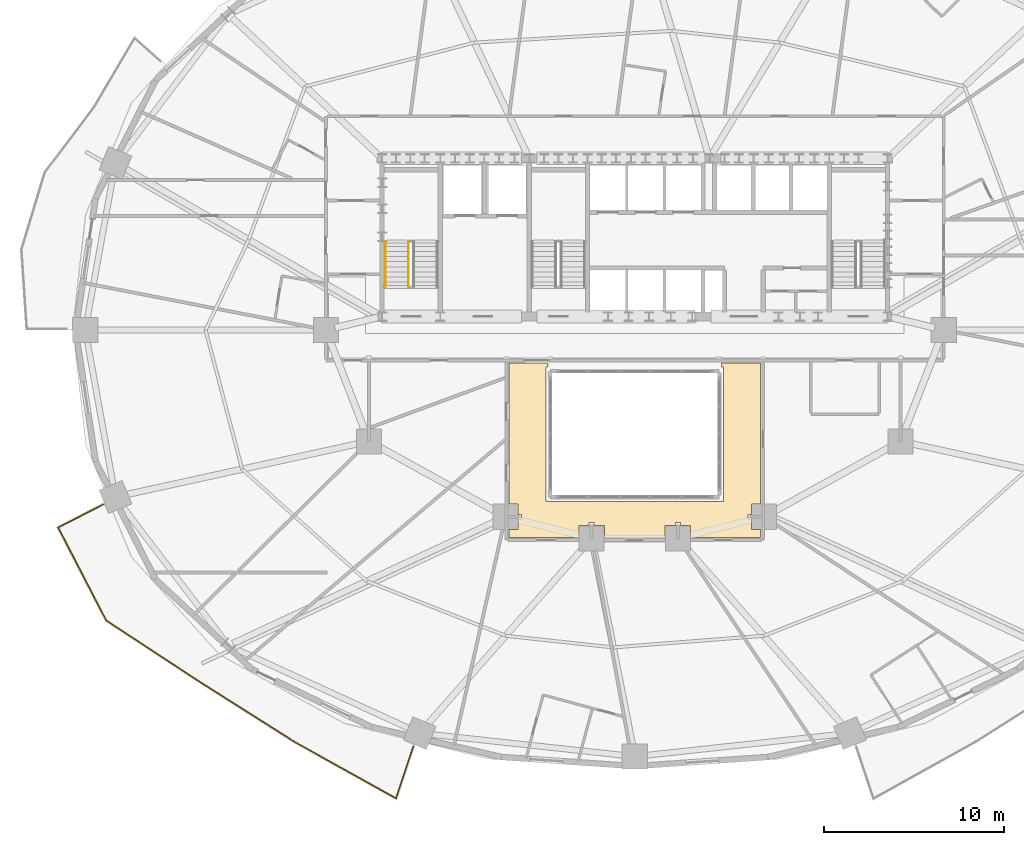
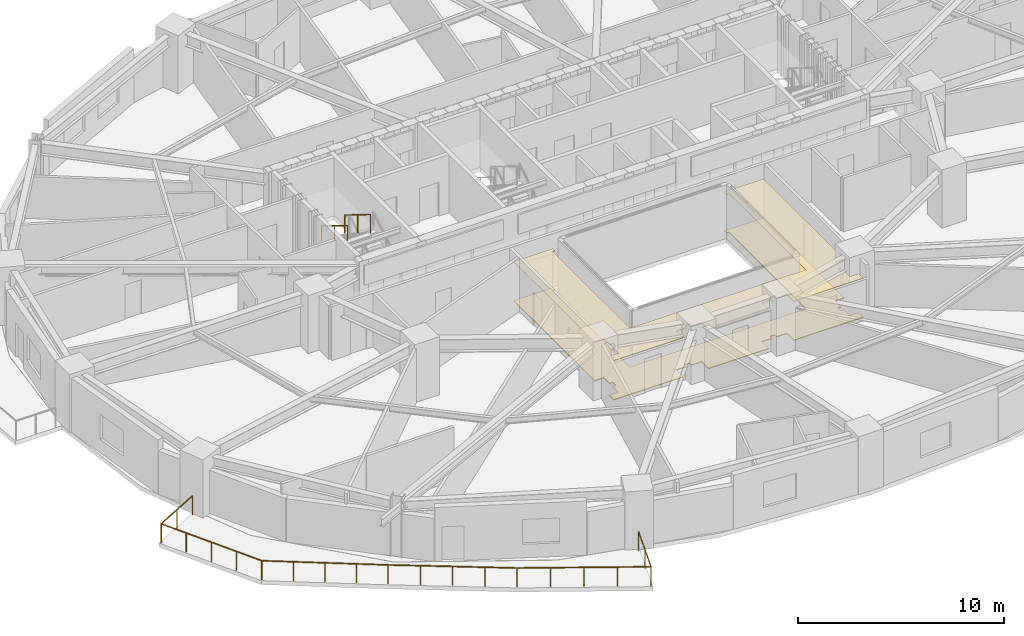
# One storey, part 14 of 17: 3 railings, 2 coverings.
"""IFC4 building model written with IfcOpenShell, lengths in metres."""

import ifcopenshell
import ifcopenshell.guid

model = None  # the IFC model being written
_history = None  # IfcOwnerHistory: only IFC2X3 demands one
_inside = {}  # id of a spatial element -> (the spatial element, [elements in it])
_under = {}  # id of a project, library or spatial element -> (it, [spatial elements below it])
_declared = {}  # id of a project -> (the project, [libraries it declares])
_typed = {}  # id of a type object -> (the type object, [elements of that type])
_made_of = {}  # id of a material, layer set ... -> (it, [elements and type objects made of it])


def new_model(schema):
    """Start an empty IFC model of exactly this schema.

    Asked for "IFC4X3", IfcOpenShell would pick the latest addendum, in which some entities
    have other attributes; the version numbers below select the first issue.
    IFC2X3 requires an IfcOwnerHistory on every rooted entity: one is made here for all.
    """
    global model, _history
    if schema == "IFC4X3":
        model = ifcopenshell.file(schema_version=(4, 3, 0, 0))
    else:
        model = ifcopenshell.file(schema=schema)
    _inside.clear()
    _under.clear()
    _declared.clear()
    _typed.clear()
    _made_of.clear()
    _history = None
    if model.schema == "IFC2X3":
        org = make("IfcOrganization", Name="unknown")
        user = make(
            "IfcPersonAndOrganization",
            ThePerson=make("IfcPerson", FamilyName="unknown"),
            TheOrganization=org,
        )
        app = make(
            "IfcApplication",
            ApplicationDeveloper=org,
            Version="unknown",
            ApplicationFullName="unknown",
            ApplicationIdentifier="unknown",
        )
        _history = make(
            "IfcOwnerHistory",
            OwningUser=user,
            OwningApplication=app,
            ChangeAction="ADDED",
            CreationDate=0,
        )
    return model


def make(cls, **values):
    """One entity of the class cls with the attributes given. An attribute that is None is left unset."""
    return model.create_entity(
        cls, **{name: value for name, value in values.items() if value is not None}
    )


def rooted(cls, **values):
    """An entity with a GlobalId (a new one), such as an element, a storey or a relation."""
    return make(cls, GlobalId=ifcopenshell.guid.new(), OwnerHistory=_history, **values)


def si_unit(unit_type, name, prefix=None):
    """IfcSIUnit, for example si_unit("LENGTHUNIT", "METRE", prefix="MILLI")."""
    return make("IfcSIUnit", UnitType=unit_type, Prefix=prefix, Name=name)


def assignment(units):
    """IfcUnitAssignment: the units of a project."""
    return None if units is None else make("IfcUnitAssignment", Units=units)


def point(xyz):
    """IfcCartesianPoint."""
    return None if xyz is None else make("IfcCartesianPoint", Coordinates=xyz)


def direction(xyz):
    """IfcDirection."""
    return None if xyz is None else make("IfcDirection", DirectionRatios=xyz)


def frame(location, z_axis=None, x_axis=None):
    """IfcAxis2Placement3D, a coordinate frame: its origin and axes. An axis left out is left unset."""
    return make(
        "IfcAxis2Placement3D",
        Location=point(location),
        Axis=direction(z_axis),
        RefDirection=direction(x_axis),
    )


def frame_2d(location, x_axis=None):
    """IfcAxis2Placement2D, a coordinate frame in the plane: its origin and x axis."""
    return make(
        "IfcAxis2Placement2D", Location=point(location), RefDirection=direction(x_axis)
    )


def origin():
    """The frame at (0, 0, 0) with its axes left unset."""
    return frame((0.0, 0.0, 0.0))


def origin_2d():
    """The frame at (0, 0) in the plane with its x axis left unset."""
    return frame_2d((0.0, 0.0))


def place(relative_to, where):
    """IfcLocalPlacement: puts the frame where relative to a parent placement (None: the world)."""
    return make(
        "IfcLocalPlacement", PlacementRelTo=relative_to, RelativePlacement=where
    )


def context(
    kind, dimensions, precision=None, world=None, true_north=None, identifier=None
):
    """IfcGeometricRepresentationContext, for example the 3D "Model" context."""
    return make(
        "IfcGeometricRepresentationContext",
        ContextIdentifier=identifier,
        ContextType=kind,
        CoordinateSpaceDimension=dimensions,
        Precision=precision,
        WorldCoordinateSystem=world,
        TrueNorth=true_north,
    )


def subcontext(parent, identifier, kind, view, scale=None):
    """IfcGeometricRepresentationSubContext, for example "Body" below "Model"."""
    return make(
        "IfcGeometricRepresentationSubContext",
        ContextIdentifier=identifier,
        ContextType=kind,
        ParentContext=parent,
        TargetScale=scale,
        TargetView=view,
    )


def project(units=None, contexts=None):
    """IfcProject with its units and contexts."""
    return rooted(
        "IfcProject",
        Name="project",
        RepresentationContexts=contexts,
        UnitsInContext=assignment(units),
    )


def spatial(cls, under=None, at=None, **own):
    """A site, building, storey or space (cls), placed at a placement, below another one or the project."""
    s = rooted(cls, ObjectPlacement=at, **own)
    if under is not None:
        _under.setdefault(under.id(), (under, []))[1].append(s)
    return s


def polyline(points):
    """IfcPolyline through the points."""
    return make("IfcPolyline", Points=[point(p) for p in points])


def profile(cls, at=None, kind="AREA", **sizes):
    """A parametric profile (cls). Its sizes go by their IFC names, for example OverallWidth=200.0."""
    return make(cls, ProfileType=kind, Position=at, **sizes)


def rectangle(**sizes):
    """IfcRectangleProfileDef."""
    return profile("IfcRectangleProfileDef", **sizes)


def outline(outer, holes=None, kind="AREA"):
    """IfcArbitraryClosedProfileDef: a profile drawn as a closed curve; with holes, ...WithVoids."""
    if holes is None:
        return make("IfcArbitraryClosedProfileDef", ProfileType=kind, OuterCurve=outer)
    return make(
        "IfcArbitraryProfileDefWithVoids",
        ProfileType=kind,
        OuterCurve=outer,
        InnerCurves=holes,
    )


def extrude(swept, where, along, depth):
    """IfcExtrudedAreaSolid: the profile swept, set in the frame where, extruded along a direction by depth."""
    return make(
        "IfcExtrudedAreaSolid",
        SweptArea=swept,
        Position=where,
        ExtrudedDirection=direction(along),
        Depth=depth,
    )


def shape(context_of_items, identifier, shape_type, items):
    """IfcShapeRepresentation: the items that make up one representation, for example the "Body"."""
    return make(
        "IfcShapeRepresentation",
        ContextOfItems=context_of_items,
        RepresentationIdentifier=identifier,
        RepresentationType=shape_type,
        Items=items,
    )


def material(Name=None, Category=None):
    """IfcMaterial."""
    return make("IfcMaterial", Name=Name, Category=Category)


def layer(
    of_material, thickness, ventilated=None, Name=None, Category=None, Priority=None
):
    """IfcMaterialLayer: one layer of a wall or slab, of a material (None: an air gap)."""
    return make(
        "IfcMaterialLayer",
        Material=of_material,
        LayerThickness=thickness,
        IsVentilated=ventilated,
        Name=Name,
        Category=Category,
        Priority=Priority,
    )


def layer_set(layers, Name=None):
    """IfcMaterialLayerSet."""
    return make("IfcMaterialLayerSet", MaterialLayers=layers, LayerSetName=Name)


def made_of(thing, what):
    """Note that an element or type object is made of a material, layer set ...; save() writes the relation."""
    if what is not None:
        _made_of.setdefault(what.id(), (what, []))[1].append(thing)
    return thing


def type_object(cls, material=None, **own):
    """A type object (cls), such as IfcWallType, which elements share."""
    return made_of(rooted(cls, **own), material)


def element(
    cls,
    number,
    at=None,
    inside=None,
    cuts=None,
    type_object=None,
    material=None,
    context=None,
    identifier="Body",
    shape_type=None,
    held_by="IfcProductDefinitionShape",
    body=None,
    shapes=None,
    **own,
):
    """One element of the class cls, such as IfcWall. Its Tag is "e" and its number.

    at: its placement. inside: the storey or other place that contains it. cuts: it is an
    opening in that element (IfcRelVoidsElement). A single representation is given by context,
    identifier, shape_type and body (its items); several are given by shapes. held_by: the class
    of the entity that holds the representations. save() writes the other relations.
    """
    e = rooted(cls, Tag="e%d" % number, ObjectPlacement=at, **own)
    if body is not None:
        shapes = [shape(context, identifier, shape_type, body)]
    if shapes is not None:
        e.Representation = make(held_by, Representations=shapes)
    if inside is not None:
        _inside.setdefault(inside.id(), (inside, []))[1].append(e)
    if cuts is not None:
        rooted(
            "IfcRelVoidsElement", RelatingBuildingElement=cuts, RelatedOpeningElement=e
        )
    if type_object is not None:
        _typed.setdefault(type_object.id(), (type_object, []))[1].append(e)
    return made_of(e, material)


def aggregate(whole, parts):
    """IfcRelAggregates: a whole, such as a stair, and the parts it consists of."""
    return rooted("IfcRelAggregates", RelatingObject=whole, RelatedObjects=parts)


def save(model, path):
    """Write the relations noted so far, then the file.

    IfcRelAggregates (storeys below a building ...), IfcRelContainedInSpatialStructure (elements
    in a storey), IfcRelDefinesByType, IfcRelAssociatesMaterial and IfcRelDeclares: one each for
    every whole, place, type object, material and project.
    """
    for whole, parts in _under.values():
        aggregate(whole, parts)
    for where, things in _inside.values():
        rooted(
            "IfcRelContainedInSpatialStructure",
            RelatedElements=things,
            RelatingStructure=where,
        )
    for kind, things in _typed.values():
        rooted("IfcRelDefinesByType", RelatedObjects=things, RelatingType=kind)
    for what, things in _made_of.values():
        rooted("IfcRelAssociatesMaterial", RelatedObjects=things, RelatingMaterial=what)
    for by, libraries in _declared.values():
        rooted("IfcRelDeclares", RelatingContext=by, RelatedDefinitions=libraries)
    model.write(path)


model = new_model("IFC4")

# Units and contexts
model_context = context("Model", 3, precision=1e-05, world=origin(), true_north=direction((0.0, 1.0)))
body_context = subcontext(model_context, "Body", "Model", "MODEL_VIEW")
ifc_project = project(units=[si_unit("LENGTHUNIT", "METRE"), si_unit("AREAUNIT", "SQUARE_METRE"), si_unit("VOLUMEUNIT", "CUBIC_METRE"), si_unit("PLANEANGLEUNIT", "RADIAN"), si_unit("MASSUNIT", "GRAM", prefix="KILO")], contexts=[model_context])

# Site, building, storey
site_placement = place(None, origin())
site = spatial("IfcSite", under=ifc_project, at=site_placement, CompositionType="ELEMENT")
building_placement = place(site_placement, origin())
building = spatial("IfcBuilding", under=site, at=building_placement, Name="Haldorwick Loom Tower", CompositionType="ELEMENT")
storey_placement = place(building_placement, frame((0.0, 0.0, 58.5)))
storey = spatial("IfcBuildingStorey", under=building, at=storey_placement, Name="L15", CompositionType="ELEMENT", Elevation=58.5)

# Coverings
ifc_material_1 = material(Name="Mineral Fibre Acoustic Ceiling Tile")
ifc_layer_1 = layer(ifc_material_1, 0.054931640625, Name="Mineral Fibre Acoustic Ceiling Tile")
ifc_layer_set_1 = layer_set([ifc_layer_1], Name="Mineral Fibre Acoustic Ceiling Tile")
covering_type_1 = type_object("IfcCoveringType", Name="ARC-COV-CEIL2", PredefinedType="CEILING", material=ifc_layer_set_1)
covering_1_placement = place(storey_placement, frame((0.0, 0.0, 2.302001953125)))
element("IfcCovering", 1, at=covering_1_placement, inside=storey, type_object=covering_type_1, Name="L15 Acoustic Suspended Ceiling 1", PredefinedType="CEILING", context=body_context, shape_type="SweptSolid", body=[
    extrude(outline(polyline([(37.69189453125, 14.43994140625), (37.69189453125, 15.10791015625), (38.260009765625, 15.10791015625), (38.260009765625, 15.27001953125), (38.260009765625, 15.27197265625), (38.260498046875, 15.27392578125), (38.260986328125, 15.27587890625), (38.261474609375, 15.277587890625), (38.262451171875, 15.279296875), (38.263427734375, 15.281005859375), (38.264404296875, 15.28271484375), (38.265869140625, 15.2841796875), (38.267333984375, 15.285400390625), (38.268798828125, 15.28662109375), (38.2705078125, 15.28759765625), (38.272216796875, 15.28857421875), (38.274169921875, 15.2890625), (38.276123046875, 15.28955078125), (38.278076171875, 15.289794921875), (38.280029296875, 15.2900390625), (38.52001953125, 15.2900390625), (38.52197265625, 15.289794921875), (38.52392578125, 15.28955078125), (38.52587890625, 15.289306640625), (38.527587890625, 15.28857421875), (38.529296875, 15.28759765625), (38.531005859375, 15.28662109375), (38.53271484375, 15.285400390625), (38.5341796875, 15.2841796875), (38.535400390625, 15.28271484375), (38.53662109375, 15.28125), (38.53759765625, 15.279541015625), (38.538330078125, 15.27783203125), (38.5390625, 15.27587890625), (38.53955078125, 15.274169921875), (38.539794921875, 15.272216796875), (38.5400390625, 15.270263671875), (38.5419921875, 15.10791015625), (39.10791015625, 15.10791015625), (39.10791015625, 14.43994140625), (43.010009765625, 14.43994140625), (43.010009765625, 14.89208984375), (42.491943359375, 14.89208984375), (42.491943359375, 15.4599609375), (42.330078125, 15.4599609375), (42.327880859375, 15.460205078125), (42.326171875, 15.46044921875), (42.32421875, 15.4609375), (42.322265625, 15.46142578125), (42.320556640625, 15.46240234375), (42.31884765625, 15.46337890625), (42.3173828125, 15.464599609375), (42.31591796875, 15.4658203125), (42.314453125, 15.46728515625), (42.3134765625, 15.468994140625), (42.3125, 15.470703125), (42.3115234375, 15.472412109375), (42.310791015625, 15.47412109375), (42.310302734375, 15.47607421875), (42.31005859375, 15.47802734375), (42.31005859375, 15.47998046875), (42.31005859375, 15.719970703125), (42.31005859375, 15.721923828125), (42.310302734375, 15.723876953125), (42.310791015625, 15.725830078125), (42.3115234375, 15.727783203125), (42.3125, 15.7294921875), (42.3134765625, 15.731201171875), (42.314453125, 15.732666015625), (42.31591796875, 15.734130859375), (42.3173828125, 15.735595703125), (42.31884765625, 15.736572265625), (42.320556640625, 15.737548828125), (42.322265625, 15.738525390625), (42.32421875, 15.739013671875), (42.326171875, 15.739501953125), (42.327880859375, 15.739990234375), (42.330078125, 15.739990234375), (42.491943359375, 15.739990234375), (42.491943359375, 16.30810546875), (43.010009765625, 16.30810546875), (43.010009765625, 24.159912109375), (40.820068359375, 24.159912109375), (40.820068359375, 23.949951171875), (40.949951171875, 23.949951171875), (40.949951171875, 16.449951171875), (31.050048828125, 16.449951171875), (31.050048828125, 23.949951171875), (31.179931640625, 23.949951171875), (31.179931640625, 24.159912109375), (28.989990234375, 24.159912109375), (28.989990234375, 16.30810546875), (29.508056640625, 16.30810546875), (29.508056640625, 15.739990234375), (29.669921875, 15.739990234375), (29.672119140625, 15.739990234375), (29.673828125, 15.739501953125), (29.67578125, 15.739013671875), (29.677734375, 15.738525390625), (29.679443359375, 15.737548828125), (29.68115234375, 15.736572265625), (29.6826171875, 15.735595703125), (29.68408203125, 15.734130859375), (29.685546875, 15.732666015625), (29.6865234375, 15.731201171875), (29.6875, 15.7294921875), (29.6884765625, 15.727783203125), (29.689208984375, 15.725830078125), (29.689697265625, 15.723876953125), (29.68994140625, 15.721923828125), (29.68994140625, 15.719970703125), (29.68994140625, 15.47998046875), (29.68994140625, 15.47802734375), (29.689697265625, 15.47607421875), (29.689208984375, 15.47412109375), (29.6884765625, 15.472412109375), (29.6875, 15.470703125), (29.6865234375, 15.468994140625), (29.685546875, 15.46728515625), (29.68408203125, 15.4658203125), (29.6826171875, 15.464599609375), (29.68115234375, 15.46337890625), (29.679443359375, 15.46240234375), (29.677734375, 15.46142578125), (29.67578125, 15.4609375), (29.673828125, 15.46044921875), (29.672119140625, 15.460205078125), (29.669921875, 15.4599609375), (29.508056640625, 15.4599609375), (29.508056640625, 14.89208984375), (28.989990234375, 14.89208984375), (28.989990234375, 14.43994140625), (32.89208984375, 14.43994140625), (32.89208984375, 15.10791015625), (33.458984375, 15.10791015625), (33.4599609375, 15.27001953125), (33.460205078125, 15.272216796875), (33.46044921875, 15.27392578125), (33.4609375, 15.27587890625), (33.461669921875, 15.277587890625), (33.46240234375, 15.279541015625), (33.46337890625, 15.28125), (33.464599609375, 15.28271484375), (33.4658203125, 15.2841796875), (33.46728515625, 15.285400390625), (33.468994140625, 15.28662109375), (33.470703125, 15.28759765625), (33.472412109375, 15.28857421875), (33.47412109375, 15.2890625), (33.47607421875, 15.28955078125), (33.47802734375, 15.289794921875), (33.47998046875, 15.2900390625), (33.719970703125, 15.2900390625), (33.721923828125, 15.289794921875), (33.723876953125, 15.28955078125), (33.725830078125, 15.2890625), (33.727783203125, 15.28857421875), (33.7294921875, 15.28759765625), (33.731201171875, 15.28662109375), (33.732666015625, 15.285400390625), (33.734130859375, 15.2841796875), (33.735595703125, 15.28271484375), (33.736572265625, 15.281005859375), (33.737548828125, 15.279296875), (33.738525390625, 15.277587890625), (33.739013671875, 15.27587890625), (33.739501953125, 15.27392578125), (33.739990234375, 15.27197265625), (33.739990234375, 15.27001953125), (33.739990234375, 15.10791015625), (34.30810546875, 15.10791015625), (34.30810546875, 14.43994140625), (37.69189453125, 14.43994140625)])), origin(), (0.0, 0.0, 1.0), 0.054931640625),
])
ifc_material_2 = material(Name="Polished Aggregate Terrazzo Finish")
ifc_layer_2 = layer(ifc_material_2, 0.044921875, Name="Polished Aggregate Terrazzo Finish")
ifc_layer_set_2 = layer_set([ifc_layer_2], Name="Polished Aggregate Terrazzo Finish")
covering_type_2 = type_object("IfcCoveringType", Name="ARC-COV-FLOOR2", PredefinedType="FLOORING", material=ifc_layer_set_2)
covering_2_placement = place(storey_placement, origin())
element("IfcCovering", 2, at=covering_2_placement, inside=storey, type_object=covering_type_2, Name="L15 Floor Finish 1", PredefinedType="FLOORING", context=body_context, shape_type="SweptSolid", body=[
    extrude(outline(polyline([(37.69189453125, 14.43994140625), (37.69189453125, 15.10791015625), (38.260009765625, 15.10791015625), (38.260009765625, 15.27001953125), (38.260009765625, 15.27197265625), (38.260498046875, 15.27392578125), (38.260986328125, 15.27587890625), (38.261474609375, 15.277587890625), (38.262451171875, 15.279296875), (38.263427734375, 15.281005859375), (38.264404296875, 15.28271484375), (38.265869140625, 15.2841796875), (38.267333984375, 15.285400390625), (38.268798828125, 15.28662109375), (38.2705078125, 15.28759765625), (38.272216796875, 15.28857421875), (38.274169921875, 15.2890625), (38.276123046875, 15.28955078125), (38.278076171875, 15.289794921875), (38.280029296875, 15.2900390625), (38.52001953125, 15.2900390625), (38.52197265625, 15.289794921875), (38.52392578125, 15.28955078125), (38.52587890625, 15.289306640625), (38.527587890625, 15.28857421875), (38.529296875, 15.28759765625), (38.531005859375, 15.28662109375), (38.53271484375, 15.285400390625), (38.5341796875, 15.2841796875), (38.535400390625, 15.28271484375), (38.53662109375, 15.28125), (38.53759765625, 15.279541015625), (38.538330078125, 15.27783203125), (38.5390625, 15.27587890625), (38.53955078125, 15.274169921875), (38.539794921875, 15.272216796875), (38.5400390625, 15.270263671875), (38.5419921875, 15.10791015625), (39.10791015625, 15.10791015625), (39.10791015625, 14.43994140625), (43.010009765625, 14.43994140625), (43.010009765625, 14.89208984375), (42.491943359375, 14.89208984375), (42.491943359375, 15.4599609375), (42.330078125, 15.4599609375), (42.327880859375, 15.460205078125), (42.326171875, 15.46044921875), (42.32421875, 15.4609375), (42.322265625, 15.46142578125), (42.320556640625, 15.46240234375), (42.31884765625, 15.46337890625), (42.3173828125, 15.464599609375), (42.31591796875, 15.4658203125), (42.314453125, 15.46728515625), (42.3134765625, 15.468994140625), (42.3125, 15.470703125), (42.3115234375, 15.472412109375), (42.310791015625, 15.47412109375), (42.310302734375, 15.47607421875), (42.31005859375, 15.47802734375), (42.31005859375, 15.47998046875), (42.31005859375, 15.719970703125), (42.31005859375, 15.721923828125), (42.310302734375, 15.723876953125), (42.310791015625, 15.725830078125), (42.3115234375, 15.727783203125), (42.3125, 15.7294921875), (42.3134765625, 15.731201171875), (42.314453125, 15.732666015625), (42.31591796875, 15.734130859375), (42.3173828125, 15.735595703125), (42.31884765625, 15.736572265625), (42.320556640625, 15.737548828125), (42.322265625, 15.738525390625), (42.32421875, 15.739013671875), (42.326171875, 15.739501953125), (42.327880859375, 15.739990234375), (42.330078125, 15.739990234375), (42.491943359375, 15.739990234375), (42.491943359375, 16.30810546875), (43.010009765625, 16.30810546875), (43.010009765625, 24.159912109375), (40.820068359375, 24.159912109375), (40.820068359375, 23.949951171875), (40.949951171875, 23.949951171875), (40.949951171875, 16.449951171875), (31.050048828125, 16.449951171875), (31.050048828125, 23.949951171875), (31.179931640625, 23.949951171875), (31.179931640625, 24.159912109375), (28.989990234375, 24.159912109375), (28.989990234375, 16.30810546875), (29.508056640625, 16.30810546875), (29.508056640625, 15.739990234375), (29.669921875, 15.739990234375), (29.672119140625, 15.739990234375), (29.673828125, 15.739501953125), (29.67578125, 15.739013671875), (29.677734375, 15.738525390625), (29.679443359375, 15.737548828125), (29.68115234375, 15.736572265625), (29.6826171875, 15.735595703125), (29.68408203125, 15.734130859375), (29.685546875, 15.732666015625), (29.6865234375, 15.731201171875), (29.6875, 15.7294921875), (29.6884765625, 15.727783203125), (29.689208984375, 15.725830078125), (29.689697265625, 15.723876953125), (29.68994140625, 15.721923828125), (29.68994140625, 15.719970703125), (29.68994140625, 15.47998046875), (29.68994140625, 15.47802734375), (29.689697265625, 15.47607421875), (29.689208984375, 15.47412109375), (29.6884765625, 15.472412109375), (29.6875, 15.470703125), (29.6865234375, 15.468994140625), (29.685546875, 15.46728515625), (29.68408203125, 15.4658203125), (29.6826171875, 15.464599609375), (29.68115234375, 15.46337890625), (29.679443359375, 15.46240234375), (29.677734375, 15.46142578125), (29.67578125, 15.4609375), (29.673828125, 15.46044921875), (29.672119140625, 15.460205078125), (29.669921875, 15.4599609375), (29.508056640625, 15.4599609375), (29.508056640625, 14.89208984375), (28.989990234375, 14.89208984375), (28.989990234375, 14.43994140625), (32.89208984375, 14.43994140625), (32.89208984375, 15.10791015625), (33.458984375, 15.10791015625), (33.4599609375, 15.27001953125), (33.460205078125, 15.272216796875), (33.46044921875, 15.27392578125), (33.4609375, 15.27587890625), (33.461669921875, 15.277587890625), (33.46240234375, 15.279541015625), (33.46337890625, 15.28125), (33.464599609375, 15.28271484375), (33.4658203125, 15.2841796875), (33.46728515625, 15.285400390625), (33.468994140625, 15.28662109375), (33.470703125, 15.28759765625), (33.472412109375, 15.28857421875), (33.47412109375, 15.2890625), (33.47607421875, 15.28955078125), (33.47802734375, 15.289794921875), (33.47998046875, 15.2900390625), (33.719970703125, 15.2900390625), (33.721923828125, 15.289794921875), (33.723876953125, 15.28955078125), (33.725830078125, 15.2890625), (33.727783203125, 15.28857421875), (33.7294921875, 15.28759765625), (33.731201171875, 15.28662109375), (33.732666015625, 15.285400390625), (33.734130859375, 15.2841796875), (33.735595703125, 15.28271484375), (33.736572265625, 15.281005859375), (33.737548828125, 15.279296875), (33.738525390625, 15.277587890625), (33.739013671875, 15.27587890625), (33.739501953125, 15.27392578125), (33.739990234375, 15.27197265625), (33.739990234375, 15.27001953125), (33.739990234375, 15.10791015625), (34.30810546875, 15.10791015625), (34.30810546875, 14.43994140625), (37.69189453125, 14.43994140625)])), origin(), (0.0, 0.0, 1.0), 0.044921875),
])

# Railings
ifc_material_3 = material(Name="Galvanized Steel CSA G40.21 350W", Category="steel")
railing_type_1 = type_object("IfcRailingType", Name="ARC-RLG-BAL115", PredefinedType="BALUSTRADE", material=ifc_material_3)
railing_1_placement = place(storey_placement, frame((23.663818359375, 2.791748046875, 0.0)))
element("IfcRailing", 3, at=railing_1_placement, inside=storey, type_object=railing_type_1, Name="L15 Outdoor Terrace Guardrail SLB-L15-BAL_SW-1", PredefinedType="BALUSTRADE", context=body_context, shape_type="SweptSolid", body=[
    extrude(rectangle(XDim=0.048095703125, YDim=0.048095703125, at=origin_2d()), frame((0.0, 0.0, 1.1259765625), z_axis=(-0.316567358246, -0.948570033099, 0.0), x_axis=(0.948570033099, -0.316567358246, 0.0)), (0.0, 0.0, 1.0), 3.019287109375),
    extrude(rectangle(XDim=0.048095703125, YDim=0.048095703125, at=origin_2d()), frame((-0.955810546875, -2.864013671875, 1.1259765625), z_axis=(-0.873916825296, 0.4860754905, 0.0), x_axis=(-0.4860754905, -0.873916825296, 0.0)), (0.0, 0.0, 1.0), 6.516357421875),
    extrude(rectangle(XDim=0.048095703125, YDim=0.048095703125, at=origin_2d()), frame((-6.650634765625, 0.303466796875, 1.1259765625), z_axis=(-0.844437349753, 0.535654331021, 0.0), x_axis=(-0.535654331021, -0.844437349753, 0.0)), (0.0, 0.0, 1.0), 6.277099609375),
    extrude(rectangle(XDim=0.048095703125, YDim=0.048095703125, at=origin_2d()), frame((-11.951171875, 3.665771484375, 1.1259765625), z_axis=(-0.835627954214, 0.549295842089, 0.0), x_axis=(-0.549295842089, -0.835627954214, 0.0)), (0.0, 0.0, 1.0), 6.153564453125),
    extrude(rectangle(XDim=0.048095703125, YDim=0.048095703125, at=origin_2d()), frame((-17.09326171875, 7.0458984375, 1.1259765625), z_axis=(-0.459876733973, 0.887982764219, 0.0), x_axis=(-0.887982764219, -0.459876733973, 0.0)), (0.0, 0.0, 1.0), 5.8095703125),
    extrude(rectangle(XDim=0.048095703125, YDim=0.048095703125, at=origin_2d()), frame((-19.764892578125, 12.20458984375, 1.1259765625), z_axis=(0.888909431133, 0.458082987289, 0.0), x_axis=(-0.458082987289, 0.888909431133, 0.0)), (0.0, 0.0, 1.0), 2.821533203125),
    extrude(rectangle(XDim=0.0419921875, YDim=0.0419921875, at=origin_2d()), origin(), (0.0, 0.0, 1.0), 1.101806640625),
    extrude(rectangle(XDim=0.0419921875, YDim=0.0419921875, at=origin_2d()), frame((-0.47802734375, -1.43212890625, 0.0)), (0.0, 0.0, 1.0), 1.101806640625),
    extrude(rectangle(XDim=0.0419921875, YDim=0.0419921875, at=origin_2d()), frame((-0.955810546875, -2.864013671875, 0.0)), (0.0, 0.0, 1.0), 1.101806640625),
    extrude(rectangle(XDim=0.0419921875, YDim=0.0419921875, at=origin_2d()), frame((-2.37939453125, -2.072265625, 0.0)), (0.0, 0.0, 1.0), 1.101806640625),
    extrude(rectangle(XDim=0.0419921875, YDim=0.0419921875, at=origin_2d()), frame((-3.80322265625, -1.2802734375, 0.0)), (0.0, 0.0, 1.0), 1.101806640625),
    extrude(rectangle(XDim=0.0419921875, YDim=0.0419921875, at=origin_2d()), frame((-5.22705078125, -0.48828125, 0.0)), (0.0, 0.0, 1.0), 1.101806640625),
    extrude(rectangle(XDim=0.0419921875, YDim=0.0419921875, at=origin_2d()), frame((-6.650634765625, 0.303466796875, 0.0)), (0.0, 0.0, 1.0), 1.101806640625),
    extrude(rectangle(XDim=0.0419921875, YDim=0.0419921875, at=origin_2d()), frame((-7.975830078125, 1.14404296875, 0.0)), (0.0, 0.0, 1.0), 1.101806640625),
    extrude(rectangle(XDim=0.0419921875, YDim=0.0419921875, at=origin_2d()), frame((-9.30078125, 1.984619140625, 0.0)), (0.0, 0.0, 1.0), 1.101806640625),
    extrude(rectangle(XDim=0.0419921875, YDim=0.0419921875, at=origin_2d()), frame((-10.6259765625, 2.8251953125, 0.0)), (0.0, 0.0, 1.0), 1.101806640625),
    extrude(rectangle(XDim=0.0419921875, YDim=0.0419921875, at=origin_2d()), frame((-11.951171875, 3.665771484375, 0.0)), (0.0, 0.0, 1.0), 1.101806640625),
    extrude(rectangle(XDim=0.0419921875, YDim=0.0419921875, at=origin_2d()), frame((-13.23681640625, 4.5107421875, 0.0)), (0.0, 0.0, 1.0), 1.101806640625),
    extrude(rectangle(XDim=0.0419921875, YDim=0.0419921875, at=origin_2d()), frame((-14.522216796875, 5.35595703125, 0.0)), (0.0, 0.0, 1.0), 1.101806640625),
    extrude(rectangle(XDim=0.0419921875, YDim=0.0419921875, at=origin_2d()), frame((-15.8076171875, 6.200927734375, 0.0)), (0.0, 0.0, 1.0), 1.101806640625),
    extrude(rectangle(XDim=0.0419921875, YDim=0.0419921875, at=origin_2d()), frame((-17.09326171875, 7.0458984375, 0.0)), (0.0, 0.0, 1.0), 1.101806640625),
    extrude(rectangle(XDim=0.0419921875, YDim=0.0419921875, at=origin_2d()), frame((-17.76123046875, 8.33544921875, 0.0)), (0.0, 0.0, 1.0), 1.101806640625),
    extrude(rectangle(XDim=0.0419921875, YDim=0.0419921875, at=origin_2d()), frame((-18.42919921875, 9.625244140625, 0.0)), (0.0, 0.0, 1.0), 1.101806640625),
    extrude(rectangle(XDim=0.0419921875, YDim=0.0419921875, at=origin_2d()), frame((-19.096923828125, 10.9150390625, 0.0)), (0.0, 0.0, 1.0), 1.101806640625),
    extrude(rectangle(XDim=0.0419921875, YDim=0.0419921875, at=origin_2d()), frame((-19.764892578125, 12.20458984375, 0.0)), (0.0, 0.0, 1.0), 1.101806640625),
    extrude(rectangle(XDim=0.0419921875, YDim=0.0419921875, at=origin_2d()), frame((-18.5107421875, 12.850830078125, 0.0)), (0.0, 0.0, 1.0), 1.101806640625),
    extrude(rectangle(XDim=0.0419921875, YDim=0.0419921875, at=origin_2d()), frame((-17.2568359375, 13.4970703125, 0.0)), (0.0, 0.0, 1.0), 1.101806640625),
])
ifc_material_4 = material(Name="Steel CSA G40.21 350W", Category="steel")
railing_type_2 = type_object("IfcRailingType", Name="ARC-RLG-GUARD112", PredefinedType="GUARDRAIL", material=ifc_material_4)
railing_2_placement = place(storey_placement, frame((23.39990234375, 30.919921875, 1.8974609375)))
element("IfcRailing", 4, at=railing_2_placement, inside=storey, type_object=railing_type_2, Name="L15 ST-01 stair guard 3", PredefinedType="GUARDRAIL", context=body_context, shape_type="SweptSolid", body=[
    extrude(rectangle(XDim=0.048095703125, YDim=0.048095703125, at=origin_2d()), frame((0.0, 0.0, 1.076171875), z_axis=(0.0, -0.851400495292, 0.524516154772), x_axis=(1.0, 0.0, 0.0)), (0.0, 0.0, 1.0), 2.9599609375),
    extrude(rectangle(XDim=0.0419921875, YDim=0.0419921875, at=origin_2d()), origin(), (0.0, 0.0, 1.0), 1.052001953125),
    extrude(rectangle(XDim=0.0419921875, YDim=0.0419921875, at=origin_2d()), frame((0.0, -1.260009765625, 0.7763671875)), (0.0, 0.0, 1.0), 1.052001953125),
    extrude(rectangle(XDim=0.0419921875, YDim=0.0419921875, at=origin_2d()), frame((0.0, -2.52001953125, 1.552490234375)), (0.0, 0.0, 1.0), 1.052001953125),
])
railing_type_3 = type_object("IfcRailingType", Name="ARC-RLG-HAND092", PredefinedType="HANDRAIL", material=ifc_material_4)
railing_3_placement = place(storey_placement, frame((22.10009765625, 30.919921875, 1.8974609375)))
element("IfcRailing", 5, at=railing_3_placement, inside=storey, type_object=railing_type_3, Name="L15 ST-01 stair handrail 2", PredefinedType="HANDRAIL", context=body_context, shape_type="SweptSolid", body=[
    extrude(rectangle(XDim=0.048095703125, YDim=0.048095703125, at=origin_2d()), frame((0.0, 0.0, 0.8759765625), z_axis=(0.0, -0.851400495292, 0.524516154772), x_axis=(1.0, 0.0, 0.0)), (0.0, 0.0, 1.0), 2.9599609375),
    extrude(rectangle(XDim=0.0419921875, YDim=0.0419921875, at=origin_2d()), origin(), (0.0, 0.0, 1.0), 0.851806640625),
    extrude(rectangle(XDim=0.0419921875, YDim=0.0419921875, at=origin_2d()), frame((0.0, -1.260009765625, 0.7763671875)), (0.0, 0.0, 1.0), 0.851806640625),
    extrude(rectangle(XDim=0.0419921875, YDim=0.0419921875, at=origin_2d()), frame((0.0, -2.52001953125, 1.552490234375)), (0.0, 0.0, 1.0), 0.851806640625),
])

save(model, "model.ifc")
